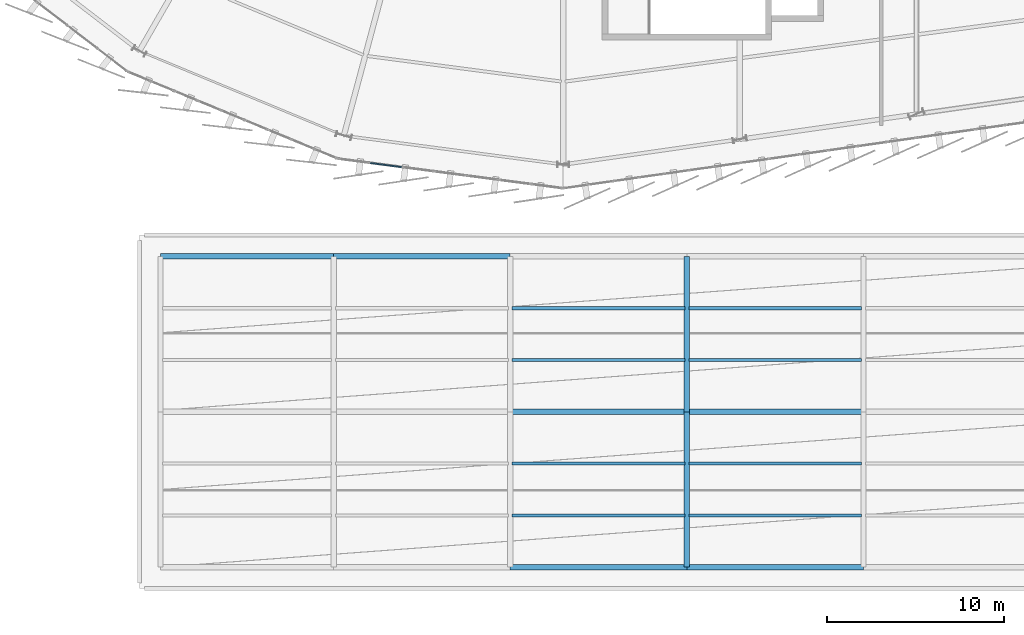
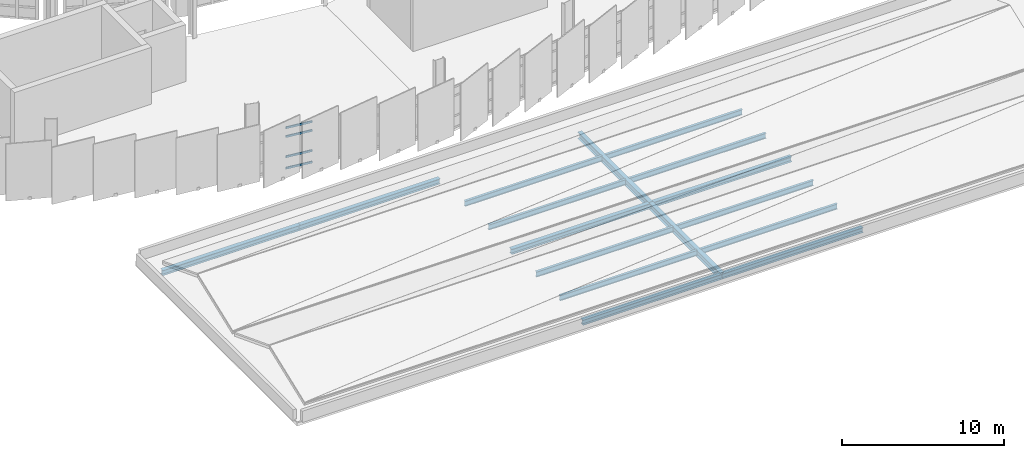
# One storey, part 12 of 67: 16 beams, 4 members, 1 element without a shape of its own.
"""IFC4 building model written with IfcOpenShell, lengths in metres."""

from ifc_helpers import new_model, si_unit, direction, frame, origin, origin_2d, place, context, subcontext, project, spatial, rectangle, i_section, extrude, material, layer, layer_set, material_profile, profile_set, type_object, element, aggregate, save


model = new_model("IFC4")

# Units and contexts
model_context = context("Model", 3, precision=1e-05, world=origin(), true_north=direction((0.0, 1.0)))
body_context = subcontext(model_context, "Body", "Model", "MODEL_VIEW")
ifc_project = project(units=[si_unit("LENGTHUNIT", "METRE"), si_unit("AREAUNIT", "SQUARE_METRE"), si_unit("VOLUMEUNIT", "CUBIC_METRE"), si_unit("PLANEANGLEUNIT", "RADIAN"), si_unit("MASSUNIT", "GRAM", prefix="KILO")], contexts=[model_context])

# Site, building, storey
site_placement = place(None, origin())
site = spatial("IfcSite", under=ifc_project, at=site_placement, CompositionType="ELEMENT")
building_placement = place(site_placement, origin())
building = spatial("IfcBuilding", under=site, at=building_placement, Name="Sohan Crest Arena", CompositionType="ELEMENT")
storey_placement = place(building_placement, frame((0.0, 0.0, 22.5)))
storey = spatial("IfcBuildingStorey", under=building, at=storey_placement, Name="L05", CompositionType="ELEMENT", Elevation=22.5)

# Curtain wall, members
ifc_material_1 = material(Name="Thermally broken anodised aluminium", Category="aluminium")
ifc_layer = layer(ifc_material_1, 0.2099609375, Name="Thermally broken anodised aluminium")
ifc_layer_set = layer_set([ifc_layer], Name="Thermally broken anodised aluminium")
curtain_wall_type = type_object("IfcCurtainWallType", Name="ARC-CW06", PredefinedType="NOTDEFINED", material=ifc_layer_set)
curtain_wall_placement = place(storey_placement, origin())
curtain_wall = element("IfcCurtainWall", 1, at=curtain_wall_placement, inside=storey, type_object=curtain_wall_type, Name="Unitised curtain wall CW-157", PredefinedType="NOTDEFINED")
ifc_material_profile_1 = material_profile(ifc_material_1, rectangle(XDim=0.070068359375, YDim=0.14990234375, at=origin_2d()), Name="ALU-TRAN 70x150")
ifc_profile_set_1 = profile_set([ifc_material_profile_1], Name="Thermally broken anodised aluminium")
member_type = type_object("IfcMemberType", Name="ARC-CW-TR03", PredefinedType="USERDEFINED", material=ifc_profile_set_1)
member_1_placement = place(storey_placement, frame((87.0888671875, 30.0869140625, 0.034912109375), z_axis=(0.99144393814, -0.130533204687, 0.0), x_axis=(0.130533204687, 0.99144393814, 0.0)))
member_1 = element("IfcMember", 2, at=member_1_placement, type_object=member_type, Name="CW-157 transom 2.1", ObjectType="TRANSOM", PredefinedType="USERDEFINED", context=body_context, shape_type="SweptSolid", body=[
    extrude(rectangle(XDim=0.070068359375, YDim=0.14990234375, at=origin_2d()), origin(), (0.0, 0.0, 1.0), 1.765625),
])
member_2_placement = place(storey_placement, frame((87.0888671875, 30.0869140625, 0.89990234375), z_axis=(0.99144393814, -0.130533204687, 0.0), x_axis=(0.130533204687, 0.99144393814, 0.0)))
member_2 = element("IfcMember", 3, at=member_2_placement, type_object=member_type, Name="CW-157 transom 2.2", ObjectType="TRANSOM", PredefinedType="USERDEFINED", context=body_context, shape_type="SweptSolid", body=[
    extrude(rectangle(XDim=0.070068359375, YDim=0.14990234375, at=origin_2d()), origin(), (0.0, 0.0, 1.0), 1.765625),
])
member_3_placement = place(storey_placement, frame((87.0888671875, 30.0869140625, 2.419921875), z_axis=(0.99144393814, -0.130533204687, 0.0), x_axis=(0.130533204687, 0.99144393814, 0.0)))
member_3 = element("IfcMember", 4, at=member_3_placement, type_object=member_type, Name="CW-157 transom 2.3", ObjectType="TRANSOM", PredefinedType="USERDEFINED", context=body_context, shape_type="SweptSolid", body=[
    extrude(rectangle(XDim=0.070068359375, YDim=0.14990234375, at=origin_2d()), origin(), (0.0, 0.0, 1.0), 1.765625),
])
member_4_placement = place(storey_placement, frame((87.0888671875, 30.0869140625, 3.0849609375), z_axis=(0.99144393814, -0.130533204687, 0.0), x_axis=(0.130533204687, 0.99144393814, 0.0)))
member_4 = element("IfcMember", 5, at=member_4_placement, type_object=member_type, Name="CW-157 transom 2.4", ObjectType="TRANSOM", PredefinedType="USERDEFINED", context=body_context, shape_type="SweptSolid", body=[
    extrude(rectangle(XDim=0.070068359375, YDim=0.14990234375, at=origin_2d()), origin(), (0.0, 0.0, 1.0), 1.765625),
])
aggregate(curtain_wall, [member_1, member_2, member_3, member_4])

# Beams
ifc_material_2 = material(Name="Steel S355", Category="steel")
ifc_material_profile_2 = material_profile(ifc_material_2, i_section(OverallWidth=0.179931640625, OverallDepth=0.39990234375, WebThickness=0.008544921875, FlangeThickness=0.013427734375, at=origin_2d()), Name="IPE 400")
ifc_profile_set_2 = profile_set([ifc_material_profile_2], Name="Steel S355")
beam_type_1 = type_object("IfcBeamType", Name="STR-BM-B03", PredefinedType="JOIST", material=ifc_profile_set_2)
for number, where, z_axis, x_axis, name in (
    (6, (95.110107421875, 10.133056640625, -0.43994140625), (1.0, 0.0, 0.0), (0.0, 1.0, 0.0), "Structural beam J-L05-2870"),
    (7, (95.110107421875, 13.06689453125, -0.43994140625), (1.0, 0.0, 0.0), (0.0, 1.0, 0.0), "Structural beam J-L05-2871"),
    (8, (105.110107421875, 10.133056640625, -0.43994140625), (1.0, 0.0, 0.0), (0.0, 1.0, 0.0), "Structural beam J-L05-2873"),
    (9, (105.110107421875, 13.06689453125, -0.43994140625), (1.0, 0.0, 0.0), (0.0, 1.0, 0.0), "Structural beam J-L05-2874"),
    (10, (95.110107421875, 18.93310546875, -0.43994140625), (1.0, 0.0, 0.0), (0.0, 1.0, 0.0), "Structural beam J-L05-2891"),
    (11, (95.110107421875, 21.866943359375, -0.43994140625), (1.0, 0.0, 0.0), (0.0, 1.0, 0.0), "Structural beam J-L05-2892"),
    (12, (105.110107421875, 18.93310546875, -0.43994140625), (1.0, 0.0, 0.0), (0.0, 1.0, 0.0), "Structural beam J-L05-2894"),
    (13, (105.110107421875, 21.866943359375, -0.43994140625), (1.0, 0.0, 0.0), (0.0, 1.0, 0.0), "Structural beam J-L05-2895"),
):
    element("IfcBeam", number, at=place(storey_placement, frame(where, z_axis=z_axis, x_axis=x_axis)), inside=storey, type_object=beam_type_1, Name=name, PredefinedType="JOIST", context=body_context, shape_type="SweptSolid", body=[
        extrude(i_section(OverallWidth=0.179931640625, OverallDepth=0.39990234375, WebThickness=0.008544921875, FlangeThickness=0.013427734375, at=origin_2d()), origin(), (0.0, 0.0, 1.0), 9.77978515625),
    ])
ifc_material_profile_3 = material_profile(ifc_material_2, i_section(OverallWidth=0.300048828125, OverallDepth=0.389892578125, WebThickness=0.010986328125, FlangeThickness=0.01904296875, at=origin_2d()), Name="HEA 400")
ifc_profile_set_3 = profile_set([ifc_material_profile_3], Name="Steel S355")
beam_type_2 = type_object("IfcBeamType", Name="STR-BM-B09", PredefinedType="BEAM", material=ifc_profile_set_3)
for number, where, z_axis, x_axis, name in (
    (14, (95.0, 7.199951171875, -0.43505859375), (1.0, 0.0, 0.0), (0.0, 1.0, 0.0), "Structural beam G-L05-2869"),
    (15, (105.0, 7.199951171875, -0.43505859375), (1.0, 0.0, 0.0), (0.0, 1.0, 0.0), "Structural beam G-L05-2872"),
    (16, (95.0, 16.0, -0.43505859375), (1.0, 0.0, 0.0), (0.0, 1.0, 0.0), "Structural beam G-L05-2890"),
    (17, (105.0, 16.0, -0.43505859375), (1.0, 0.0, 0.0), (0.0, 1.0, 0.0), "Structural beam G-L05-2893"),
):
    element("IfcBeam", number, at=place(storey_placement, frame(where, z_axis=z_axis, x_axis=x_axis)), inside=storey, type_object=beam_type_2, Name=name, PredefinedType="BEAM", context=body_context, shape_type="SweptSolid", body=[
        extrude(i_section(OverallWidth=0.300048828125, OverallDepth=0.389892578125, WebThickness=0.010986328125, FlangeThickness=0.01904296875, at=origin_2d()), origin(), (0.0, 0.0, 1.0), 10.0),
    ])
beam_1_placement = place(storey_placement, frame((75.199951171875, 24.800048828125, -0.43505859375), z_axis=(1.0, 0.0, 0.0), x_axis=(0.0, 1.0, 0.0)))
element("IfcBeam", 18, at=beam_1_placement, inside=storey, type_object=beam_type_2, Name="Structural beam G-L05-2905", PredefinedType="BEAM", context=body_context, shape_type="SweptSolid", body=[
    extrude(i_section(OverallWidth=0.300048828125, OverallDepth=0.389892578125, WebThickness=0.010986328125, FlangeThickness=0.01904296875, at=origin_2d()), origin(), (0.0, 0.0, 1.0), 9.800048828125),
])
beam_2_placement = place(storey_placement, frame((85.0, 24.800048828125, -0.43505859375), z_axis=(1.0, 0.0, 0.0), x_axis=(0.0, 1.0, 0.0)))
element("IfcBeam", 19, at=beam_2_placement, inside=storey, type_object=beam_type_2, Name="Structural beam G-L05-2906", PredefinedType="BEAM", context=body_context, shape_type="SweptSolid", body=[
    extrude(i_section(OverallWidth=0.300048828125, OverallDepth=0.389892578125, WebThickness=0.010986328125, FlangeThickness=0.01904296875, at=origin_2d()), origin(), (0.0, 0.0, 1.0), 10.0),
])
ifc_material_profile_4 = material_profile(ifc_material_2, i_section(OverallWidth=0.300048828125, OverallDepth=0.489990234375, WebThickness=0.011962890625, FlangeThickness=0.02294921875, at=origin_2d()), Name="HEA 500")
ifc_profile_set_4 = profile_set([ifc_material_profile_4], Name="Steel S355")
beam_type_3 = type_object("IfcBeamType", Name="STR-BM-B10", PredefinedType="BEAM", material=ifc_profile_set_4)
for number, where, z_axis, x_axis, name in (
    (20, (105.0, 7.199951171875, -0.485107421875), (0.0, 1.0, 0.0), (-1.0, 0.0, 0.0), "Structural beam G-L05-2853"),
    (21, (105.0, 16.0, -0.485107421875), (0.0, 1.0, 0.0), (-1.0, 0.0, 0.0), "Structural beam G-L05-2854"),
):
    element("IfcBeam", number, at=place(storey_placement, frame(where, z_axis=z_axis, x_axis=x_axis)), inside=storey, type_object=beam_type_3, Name=name, PredefinedType="BEAM", context=body_context, shape_type="SweptSolid", body=[
        extrude(i_section(OverallWidth=0.300048828125, OverallDepth=0.489990234375, WebThickness=0.011962890625, FlangeThickness=0.02294921875, at=origin_2d()), origin(), (0.0, 0.0, 1.0), 8.800048828125),
    ])

save(model, "model.ifc")
